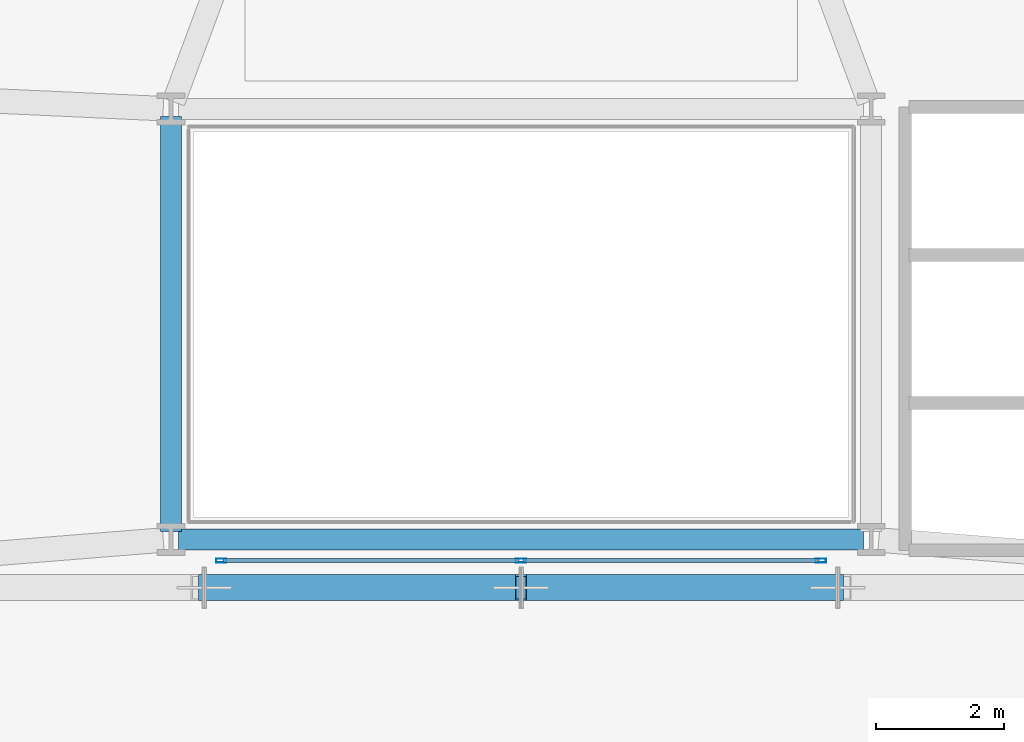
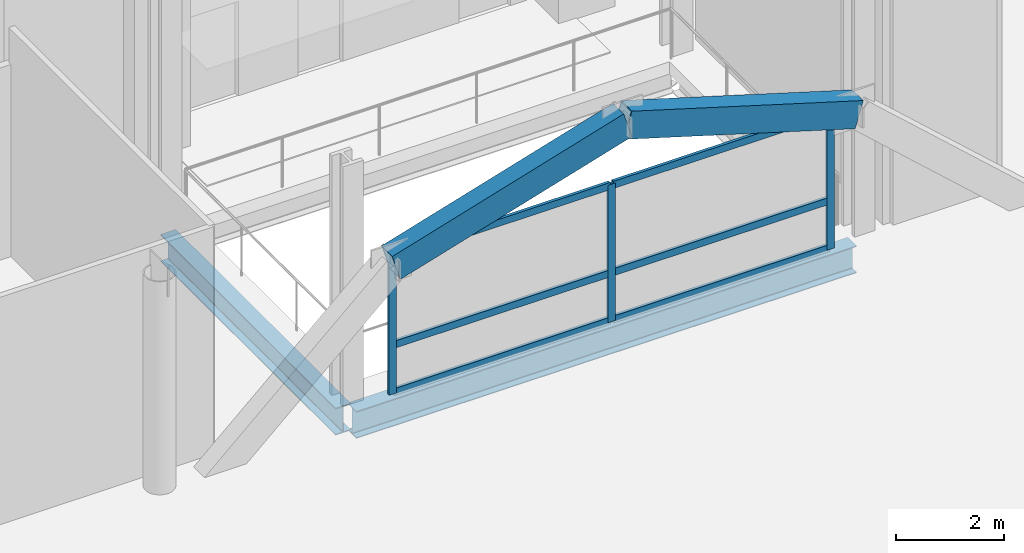
# One storey, part 15 of 36: 11 members, 2 beams, 1 element without a shape of its own.
"""IFC4 building model written with IfcOpenShell, lengths in metres."""

from ifc_helpers import new_model, si_unit, direction, frame, origin, origin_2d, place, context, subcontext, project, spatial, hollow_rectangle, i_section, extrude, material, layer, layer_set, material_profile, profile_set, type_object, element, aggregate, save


model = new_model("IFC4")

# Units and contexts
model_context = context("Model", 3, precision=1e-05, world=origin(), true_north=direction((0.0, 1.0)))
body_context = subcontext(model_context, "Body", "Model", "MODEL_VIEW")
ifc_project = project(units=[si_unit("LENGTHUNIT", "METRE"), si_unit("AREAUNIT", "SQUARE_METRE"), si_unit("VOLUMEUNIT", "CUBIC_METRE"), si_unit("PLANEANGLEUNIT", "RADIAN"), si_unit("MASSUNIT", "GRAM", prefix="KILO")], contexts=[model_context])

# Site, building, storey
site_placement = place(None, origin())
site = spatial("IfcSite", under=ifc_project, at=site_placement, CompositionType="ELEMENT")
building_placement = place(site_placement, origin())
building = spatial("IfcBuilding", under=site, at=building_placement, Name="Varnelok Gate Tower", CompositionType="ELEMENT")
storey_placement = place(building_placement, frame((0.0, 0.0, 10.800048828125)))
storey = spatial("IfcBuildingStorey", under=building, at=storey_placement, Name="L02", CompositionType="ELEMENT", Elevation=10.800048828125)

# Beams
ifc_material_1 = material(Name="Structural Steel ASTM A992 Grade 50", Category="steel")
ifc_material_profile_1 = material_profile(ifc_material_1, i_section(OverallWidth=0.323974609375, OverallDepth=0.611083984375, WebThickness=0.0126953125, FlangeThickness=0.01904296875, FilletRadius=0.01806640625, at=origin_2d()), Name="W24X104")
ifc_profile_set_1 = profile_set([ifc_material_profile_1], Name="Structural Steel ASTM A992 Grade 50")
beam_type = type_object("IfcBeamType", Name="BM-SPN-W24X104", PredefinedType="SPANDREL", material=ifc_profile_set_1)
beam_1_placement = place(storey_placement, frame((33.8701171875, 19.550048828125, -0.58544921875), z_axis=(1.0, 0.0, 0.0), x_axis=(0.0, 1.0, 0.0)))
element("IfcBeam", 1, at=beam_1_placement, inside=storey, type_object=beam_type, Name="L02 Core-Atrium Spine Beam 8", PredefinedType="SPANDREL", context=body_context, shape_type="SweptSolid", body=[
    extrude(i_section(OverallWidth=0.323974609375, OverallDepth=0.611083984375, WebThickness=0.0126953125, FlangeThickness=0.01904296875, FilletRadius=0.01806640625, at=origin_2d()), origin(), (0.0, 0.0, 1.0), 10.659912109375),
])
beam_2_placement = place(storey_placement, frame((33.75, 19.669921875, -0.58544921875), z_axis=(0.0, 1.0, 0.0), x_axis=(-1.0, 0.0, 0.0)))
element("IfcBeam", 2, at=beam_2_placement, inside=storey, type_object=beam_type, Name="L02 Core-Atrium Spine Beam 10", PredefinedType="SPANDREL", context=body_context, shape_type="SweptSolid", body=[
    extrude(i_section(OverallWidth=0.323974609375, OverallDepth=0.611083984375, WebThickness=0.0126953125, FlangeThickness=0.01904296875, FilletRadius=0.01806640625, at=origin_2d()), origin(), (0.0, 0.0, 1.0), 6.4599609375),
])

# Curtain wall, members
ifc_material_2 = material(Name="Anodized Aluminum Alloy 6063-T6", Category="aluminium")
ifc_layer = layer(ifc_material_2, 0.179931640625)
ifc_layer_set = layer_set([ifc_layer], Name="Anodized Aluminum Alloy 6063-T6")
curtain_wall_type = type_object("IfcCurtainWallType", Name="CW2-ATRIUM-GLAZING", PredefinedType="USERDEFINED", material=ifc_layer_set)
curtain_wall_placement = place(storey_placement, origin())
curtain_wall = element("IfcCurtainWall", 3, at=curtain_wall_placement, inside=storey, type_object=curtain_wall_type, Name="L02 Internal Atrium Gallery Curtain Wall", ObjectType="UNITISED CURTAIN WALL", PredefinedType="USERDEFINED")
ifc_material_profile_2 = material_profile(ifc_material_2, hollow_rectangle(XDim=0.06494140625, YDim=0.159912109375, WallThickness=0.00390625, at=origin_2d()), Name="ALU160X65X4")
ifc_profile_set_2 = profile_set([ifc_material_profile_2], Name="Anodized Aluminum Alloy 6063-T6")
member_type_1 = type_object("IfcMemberType", Name="CW-MULL-160", PredefinedType="MULLION", material=ifc_profile_set_2)
member_1_placement = place(storey_placement, frame((34.532470703125, 19.219970703125, 0.0), z_axis=(0.0, 0.0, 1.0), x_axis=(0.0, 1.0, 0.0)))
member_1 = element("IfcMember", 4, at=member_1_placement, type_object=member_type_1, Name="CW2 mullion 1", PredefinedType="MULLION", context=body_context, shape_type="SweptSolid", body=[
    extrude(hollow_rectangle(XDim=0.06494140625, YDim=0.159912109375, WallThickness=0.00390625, at=origin_2d()), origin(), (0.0, 0.0, 1.0), 3.099853515625),
])
member_2_placement = place(storey_placement, frame((39.199951171875, 19.219970703125, 0.0), z_axis=(0.0, 0.0, 1.0), x_axis=(0.0, 1.0, 0.0)))
member_2 = element("IfcMember", 5, at=member_2_placement, type_object=member_type_1, Name="CW2 mullion 2", PredefinedType="MULLION", context=body_context, shape_type="SweptSolid", body=[
    extrude(hollow_rectangle(XDim=0.06494140625, YDim=0.159912109375, WallThickness=0.00390625, at=origin_2d()), origin(), (0.0, 0.0, 1.0), 3.099853515625),
])
member_3_placement = place(storey_placement, frame((43.867431640625, 19.219970703125, 0.0), z_axis=(0.0, 0.0, 1.0), x_axis=(0.0, 1.0, 0.0)))
member_3 = element("IfcMember", 6, at=member_3_placement, type_object=member_type_1, Name="CW2 mullion 3", PredefinedType="MULLION", context=body_context, shape_type="SweptSolid", body=[
    extrude(hollow_rectangle(XDim=0.06494140625, YDim=0.159912109375, WallThickness=0.00390625, at=origin_2d()), origin(), (0.0, 0.0, 1.0), 3.099853515625),
])
ifc_material_profile_3 = material_profile(ifc_material_2, hollow_rectangle(XDim=0.06494140625, YDim=0.159912109375, WallThickness=0.00390625, at=origin_2d()), Name="ALU160X65X4")
ifc_profile_set_3 = profile_set([ifc_material_profile_3], Name="Anodized Aluminum Alloy 6063-T6")
member_type_2 = type_object("IfcMemberType", Name="CW-TRAN-160", PredefinedType="USERDEFINED", material=ifc_profile_set_3)
member_4_placement = place(storey_placement, frame((34.56494140625, 19.219970703125, 0.032470703125), z_axis=(1.0, 0.0, 0.0), x_axis=(0.0, 1.0, 0.0)))
member_4 = element("IfcMember", 7, at=member_4_placement, type_object=member_type_2, Name="CW2 transom 1.1", ObjectType="TRANSOM", PredefinedType="USERDEFINED", context=body_context, shape_type="SweptSolid", body=[
    extrude(hollow_rectangle(XDim=0.06494140625, YDim=0.159912109375, WallThickness=0.00390625, at=origin_2d()), origin(), (0.0, 0.0, 1.0), 4.6025390625),
])
member_5_placement = place(storey_placement, frame((34.56494140625, 19.219970703125, 1.099853515625), z_axis=(1.0, 0.0, 0.0), x_axis=(0.0, 1.0, 0.0)))
member_5 = element("IfcMember", 8, at=member_5_placement, type_object=member_type_2, Name="CW2 transom 1.2", ObjectType="TRANSOM", PredefinedType="USERDEFINED", context=body_context, shape_type="SweptSolid", body=[
    extrude(hollow_rectangle(XDim=0.06494140625, YDim=0.159912109375, WallThickness=0.00390625, at=origin_2d()), origin(), (0.0, 0.0, 1.0), 4.6025390625),
])
member_6_placement = place(storey_placement, frame((34.56494140625, 19.219970703125, 3.0673828125), z_axis=(1.0, 0.0, 0.0), x_axis=(0.0, 1.0, 0.0)))
member_6 = element("IfcMember", 9, at=member_6_placement, type_object=member_type_2, Name="CW2 transom 1.3", ObjectType="TRANSOM", PredefinedType="USERDEFINED", context=body_context, shape_type="SweptSolid", body=[
    extrude(hollow_rectangle(XDim=0.06494140625, YDim=0.159912109375, WallThickness=0.00390625, at=origin_2d()), origin(), (0.0, 0.0, 1.0), 4.6025390625),
])
member_7_placement = place(storey_placement, frame((39.232421875, 19.219970703125, 0.032470703125), z_axis=(1.0, 0.0, 0.0), x_axis=(0.0, 1.0, 0.0)))
member_7 = element("IfcMember", 10, at=member_7_placement, type_object=member_type_2, Name="CW2 transom 2.1", ObjectType="TRANSOM", PredefinedType="USERDEFINED", context=body_context, shape_type="SweptSolid", body=[
    extrude(hollow_rectangle(XDim=0.06494140625, YDim=0.159912109375, WallThickness=0.00390625, at=origin_2d()), origin(), (0.0, 0.0, 1.0), 4.6025390625),
])
member_8_placement = place(storey_placement, frame((39.232421875, 19.219970703125, 1.099853515625), z_axis=(1.0, 0.0, 0.0), x_axis=(0.0, 1.0, 0.0)))
member_8 = element("IfcMember", 11, at=member_8_placement, type_object=member_type_2, Name="CW2 transom 2.2", ObjectType="TRANSOM", PredefinedType="USERDEFINED", context=body_context, shape_type="SweptSolid", body=[
    extrude(hollow_rectangle(XDim=0.06494140625, YDim=0.159912109375, WallThickness=0.00390625, at=origin_2d()), origin(), (0.0, 0.0, 1.0), 4.6025390625),
])
member_9_placement = place(storey_placement, frame((39.232421875, 19.219970703125, 3.0673828125), z_axis=(1.0, 0.0, 0.0), x_axis=(0.0, 1.0, 0.0)))
member_9 = element("IfcMember", 12, at=member_9_placement, type_object=member_type_2, Name="CW2 transom 2.3", ObjectType="TRANSOM", PredefinedType="USERDEFINED", context=body_context, shape_type="SweptSolid", body=[
    extrude(hollow_rectangle(XDim=0.06494140625, YDim=0.159912109375, WallThickness=0.00390625, at=origin_2d()), origin(), (0.0, 0.0, 1.0), 4.6025390625),
])
aggregate(curtain_wall, [member_1, member_2, member_3, member_4, member_5, member_6, member_7, member_8, member_9])

# Members
ifc_material_3 = material(Name="Structural Steel ASTM A572 Grade 50", Category="steel")
ifc_material_profile_4 = material_profile(ifc_material_3, hollow_rectangle(XDim=0.39990234375, YDim=0.60009765625, WallThickness=0.02490234375, at=origin_2d()), Name="HSS600X400X25")
ifc_profile_set_4 = profile_set([ifc_material_profile_4], Name="Structural Steel ASTM A572 Grade 50")
member_type_3 = type_object("IfcMemberType", Name="MEM-ARCH-CHORD", PredefinedType="CHORD", material=ifc_profile_set_4)
for number, where, z_axis, x_axis, name in (
    (13, (34.2666015625, 18.800048828125, 3.29345703125), (0.957474760949, 0.0, 0.288517039611), (0.0, 1.0, 0.0), "Giant Arch Inner Chord Rib 3"),
    (14, (39.199951171875, 18.800048828125, 4.780029296875), (0.957474760949, 0.0, -0.288517039611), (0.0, 1.0, 0.0), "Giant Arch Inner Chord Rib 4"),
):
    element("IfcMember", number, at=place(storey_placement, frame(where, z_axis=z_axis, x_axis=x_axis)), inside=storey, type_object=member_type_3, Name=name, PredefinedType="CHORD", context=body_context, shape_type="SweptSolid", body=[
        extrude(hollow_rectangle(XDim=0.39990234375, YDim=0.60009765625, WallThickness=0.02490234375, at=origin_2d()), origin(), (0.0, 0.0, 1.0), 5.15234375),
    ])

save(model, "model.ifc")
